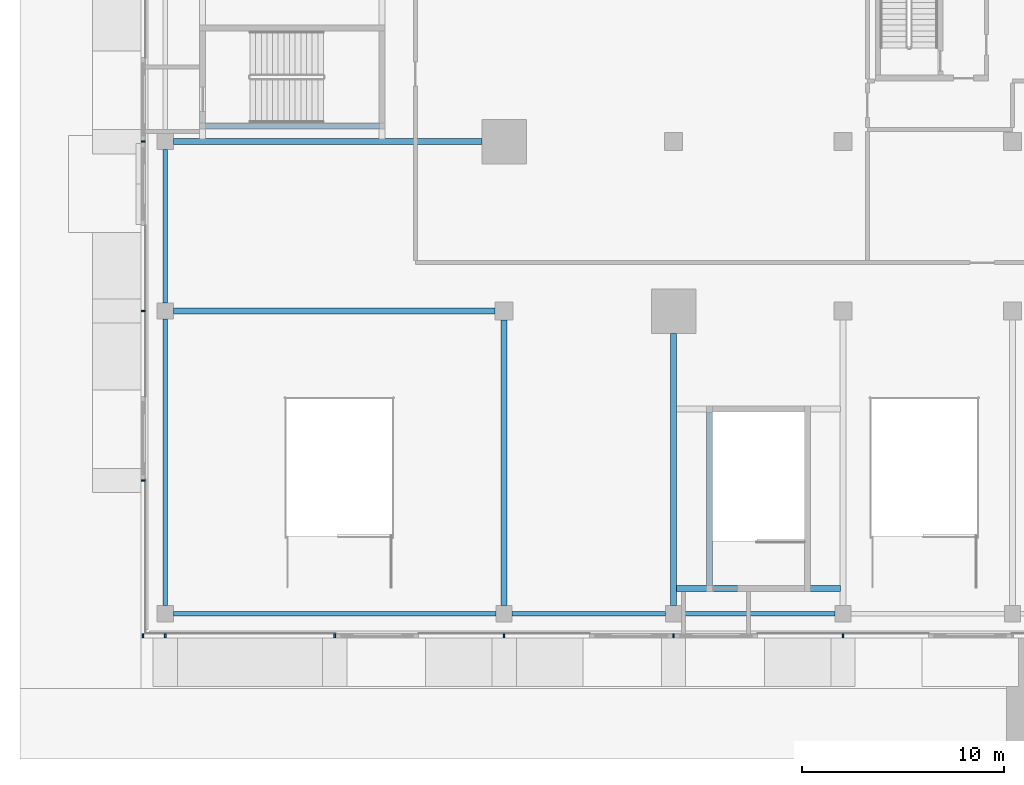
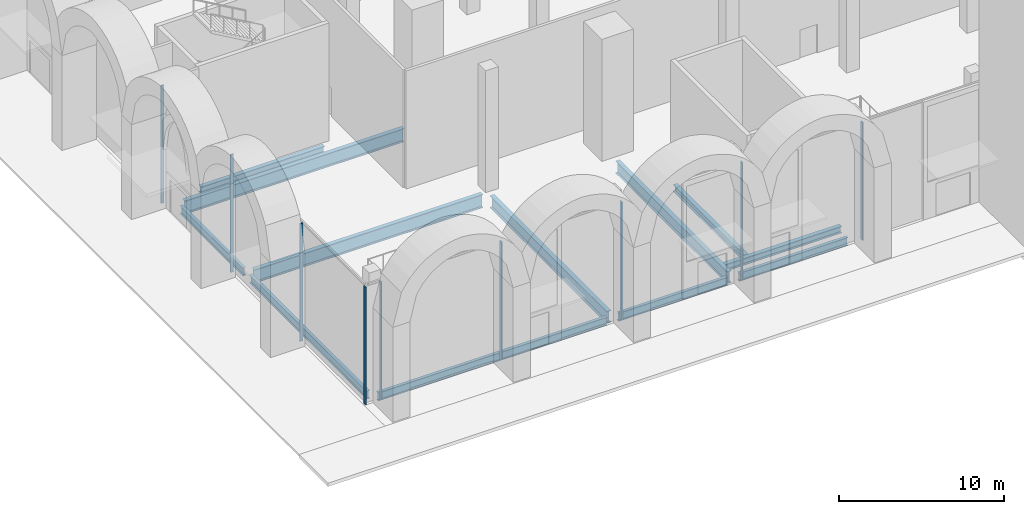
# One storey, part 2 of 43: 12 beams, 9 members, 2 elements without a shape of their own.
"""IFC4 building model written with IfcOpenShell, lengths in metres."""

import ifcopenshell
import ifcopenshell.guid

model = None  # the IFC model being written
_history = None  # IfcOwnerHistory: only IFC2X3 demands one
_inside = {}  # id of a spatial element -> (the spatial element, [elements in it])
_under = {}  # id of a project, library or spatial element -> (it, [spatial elements below it])
_declared = {}  # id of a project -> (the project, [libraries it declares])
_typed = {}  # id of a type object -> (the type object, [elements of that type])
_made_of = {}  # id of a material, layer set ... -> (it, [elements and type objects made of it])


def new_model(schema):
    """Start an empty IFC model of exactly this schema.

    Asked for "IFC4X3", IfcOpenShell would pick the latest addendum, in which some entities
    have other attributes; the version numbers below select the first issue.
    IFC2X3 requires an IfcOwnerHistory on every rooted entity: one is made here for all.
    """
    global model, _history
    if schema == "IFC4X3":
        model = ifcopenshell.file(schema_version=(4, 3, 0, 0))
    else:
        model = ifcopenshell.file(schema=schema)
    _inside.clear()
    _under.clear()
    _declared.clear()
    _typed.clear()
    _made_of.clear()
    _history = None
    if model.schema == "IFC2X3":
        org = make("IfcOrganization", Name="unknown")
        user = make(
            "IfcPersonAndOrganization",
            ThePerson=make("IfcPerson", FamilyName="unknown"),
            TheOrganization=org,
        )
        app = make(
            "IfcApplication",
            ApplicationDeveloper=org,
            Version="unknown",
            ApplicationFullName="unknown",
            ApplicationIdentifier="unknown",
        )
        _history = make(
            "IfcOwnerHistory",
            OwningUser=user,
            OwningApplication=app,
            ChangeAction="ADDED",
            CreationDate=0,
        )
    return model


def make(cls, **values):
    """One entity of the class cls with the attributes given. An attribute that is None is left unset."""
    return model.create_entity(
        cls, **{name: value for name, value in values.items() if value is not None}
    )


def rooted(cls, **values):
    """An entity with a GlobalId (a new one), such as an element, a storey or a relation."""
    return make(cls, GlobalId=ifcopenshell.guid.new(), OwnerHistory=_history, **values)


def si_unit(unit_type, name, prefix=None):
    """IfcSIUnit, for example si_unit("LENGTHUNIT", "METRE", prefix="MILLI")."""
    return make("IfcSIUnit", UnitType=unit_type, Prefix=prefix, Name=name)


def assignment(units):
    """IfcUnitAssignment: the units of a project."""
    return None if units is None else make("IfcUnitAssignment", Units=units)


def point(xyz):
    """IfcCartesianPoint."""
    return None if xyz is None else make("IfcCartesianPoint", Coordinates=xyz)


def direction(xyz):
    """IfcDirection."""
    return None if xyz is None else make("IfcDirection", DirectionRatios=xyz)


def frame(location, z_axis=None, x_axis=None):
    """IfcAxis2Placement3D, a coordinate frame: its origin and axes. An axis left out is left unset."""
    return make(
        "IfcAxis2Placement3D",
        Location=point(location),
        Axis=direction(z_axis),
        RefDirection=direction(x_axis),
    )


def frame_2d(location, x_axis=None):
    """IfcAxis2Placement2D, a coordinate frame in the plane: its origin and x axis."""
    return make(
        "IfcAxis2Placement2D", Location=point(location), RefDirection=direction(x_axis)
    )


def origin():
    """The frame at (0, 0, 0) with its axes left unset."""
    return frame((0.0, 0.0, 0.0))


def origin_2d():
    """The frame at (0, 0) in the plane with its x axis left unset."""
    return frame_2d((0.0, 0.0))


def place(relative_to, where):
    """IfcLocalPlacement: puts the frame where relative to a parent placement (None: the world)."""
    return make(
        "IfcLocalPlacement", PlacementRelTo=relative_to, RelativePlacement=where
    )


def context(
    kind, dimensions, precision=None, world=None, true_north=None, identifier=None
):
    """IfcGeometricRepresentationContext, for example the 3D "Model" context."""
    return make(
        "IfcGeometricRepresentationContext",
        ContextIdentifier=identifier,
        ContextType=kind,
        CoordinateSpaceDimension=dimensions,
        Precision=precision,
        WorldCoordinateSystem=world,
        TrueNorth=true_north,
    )


def subcontext(parent, identifier, kind, view, scale=None):
    """IfcGeometricRepresentationSubContext, for example "Body" below "Model"."""
    return make(
        "IfcGeometricRepresentationSubContext",
        ContextIdentifier=identifier,
        ContextType=kind,
        ParentContext=parent,
        TargetScale=scale,
        TargetView=view,
    )


def project(units=None, contexts=None):
    """IfcProject with its units and contexts."""
    return rooted(
        "IfcProject",
        Name="project",
        RepresentationContexts=contexts,
        UnitsInContext=assignment(units),
    )


def spatial(cls, under=None, at=None, **own):
    """A site, building, storey or space (cls), placed at a placement, below another one or the project."""
    s = rooted(cls, ObjectPlacement=at, **own)
    if under is not None:
        _under.setdefault(under.id(), (under, []))[1].append(s)
    return s


def profile(cls, at=None, kind="AREA", **sizes):
    """A parametric profile (cls). Its sizes go by their IFC names, for example OverallWidth=200.0."""
    return make(cls, ProfileType=kind, Position=at, **sizes)


def rectangle(**sizes):
    """IfcRectangleProfileDef."""
    return profile("IfcRectangleProfileDef", **sizes)


def i_section(**sizes):
    """IfcIShapeProfileDef."""
    return profile("IfcIShapeProfileDef", **sizes)


def extrude(swept, where, along, depth):
    """IfcExtrudedAreaSolid: the profile swept, set in the frame where, extruded along a direction by depth."""
    return make(
        "IfcExtrudedAreaSolid",
        SweptArea=swept,
        Position=where,
        ExtrudedDirection=direction(along),
        Depth=depth,
    )


def shape(context_of_items, identifier, shape_type, items):
    """IfcShapeRepresentation: the items that make up one representation, for example the "Body"."""
    return make(
        "IfcShapeRepresentation",
        ContextOfItems=context_of_items,
        RepresentationIdentifier=identifier,
        RepresentationType=shape_type,
        Items=items,
    )


def material(Name=None, Category=None):
    """IfcMaterial."""
    return make("IfcMaterial", Name=Name, Category=Category)


def material_profile(
    of_material, cross_section, Name=None, Category=None, Priority=None
):
    """IfcMaterialProfile: a cross section and its material."""
    return make(
        "IfcMaterialProfile",
        Name=Name,
        Material=of_material,
        Profile=cross_section,
        Priority=Priority,
        Category=Category,
    )


def profile_set(profiles, Name=None, composite=None):
    """IfcMaterialProfileSet."""
    return make(
        "IfcMaterialProfileSet",
        Name=Name,
        MaterialProfiles=profiles,
        CompositeProfile=composite,
    )


def made_of(thing, what):
    """Note that an element or type object is made of a material, layer set ...; save() writes the relation."""
    if what is not None:
        _made_of.setdefault(what.id(), (what, []))[1].append(thing)
    return thing


def type_object(cls, material=None, **own):
    """A type object (cls), such as IfcWallType, which elements share."""
    return made_of(rooted(cls, **own), material)


def element(
    cls,
    number,
    at=None,
    inside=None,
    cuts=None,
    type_object=None,
    material=None,
    context=None,
    identifier="Body",
    shape_type=None,
    held_by="IfcProductDefinitionShape",
    body=None,
    shapes=None,
    **own,
):
    """One element of the class cls, such as IfcWall. Its Tag is "e" and its number.

    at: its placement. inside: the storey or other place that contains it. cuts: it is an
    opening in that element (IfcRelVoidsElement). A single representation is given by context,
    identifier, shape_type and body (its items); several are given by shapes. held_by: the class
    of the entity that holds the representations. save() writes the other relations.
    """
    e = rooted(cls, Tag="e%d" % number, ObjectPlacement=at, **own)
    if body is not None:
        shapes = [shape(context, identifier, shape_type, body)]
    if shapes is not None:
        e.Representation = make(held_by, Representations=shapes)
    if inside is not None:
        _inside.setdefault(inside.id(), (inside, []))[1].append(e)
    if cuts is not None:
        rooted(
            "IfcRelVoidsElement", RelatingBuildingElement=cuts, RelatedOpeningElement=e
        )
    if type_object is not None:
        _typed.setdefault(type_object.id(), (type_object, []))[1].append(e)
    return made_of(e, material)


def aggregate(whole, parts):
    """IfcRelAggregates: a whole, such as a stair, and the parts it consists of."""
    return rooted("IfcRelAggregates", RelatingObject=whole, RelatedObjects=parts)


def save(model, path):
    """Write the relations noted so far, then the file.

    IfcRelAggregates (storeys below a building ...), IfcRelContainedInSpatialStructure (elements
    in a storey), IfcRelDefinesByType, IfcRelAssociatesMaterial and IfcRelDeclares: one each for
    every whole, place, type object, material and project.
    """
    for whole, parts in _under.values():
        aggregate(whole, parts)
    for where, things in _inside.values():
        rooted(
            "IfcRelContainedInSpatialStructure",
            RelatedElements=things,
            RelatingStructure=where,
        )
    for kind, things in _typed.values():
        rooted("IfcRelDefinesByType", RelatedObjects=things, RelatingType=kind)
    for what, things in _made_of.values():
        rooted("IfcRelAssociatesMaterial", RelatedObjects=things, RelatingMaterial=what)
    for by, libraries in _declared.values():
        rooted("IfcRelDeclares", RelatingContext=by, RelatedDefinitions=libraries)
    model.write(path)


model = new_model("IFC4")

# Units and contexts
model_context = context("Model", 3, precision=1e-05, world=origin(), true_north=direction((0.0, 1.0)))
body_context = subcontext(model_context, "Body", "Model", "MODEL_VIEW")
ifc_project = project(units=[si_unit("LENGTHUNIT", "METRE"), si_unit("AREAUNIT", "SQUARE_METRE"), si_unit("VOLUMEUNIT", "CUBIC_METRE"), si_unit("PLANEANGLEUNIT", "RADIAN"), si_unit("MASSUNIT", "GRAM", prefix="KILO")], contexts=[model_context])

# Site, building, storey
site_placement = place(None, origin())
site = spatial("IfcSite", under=ifc_project, at=site_placement, CompositionType="ELEMENT")
building_placement = place(site_placement, origin())
building = spatial("IfcBuilding", under=site, at=building_placement, Name="Saffron Gate Tower", CompositionType="ELEMENT")
storey_placement = place(building_placement, origin())
storey = spatial("IfcBuildingStorey", under=building, at=storey_placement, Name="L00", CompositionType="ELEMENT", Elevation=0.0)

# Beams
ifc_material_1 = material(Name="Structural steel S355", Category="steel")
ifc_material_profile_1 = material_profile(ifc_material_1, i_section(OverallWidth=0.219970703125, OverallDepth=0.60009765625, WebThickness=0.011962890625, FlangeThickness=0.01904296875, FilletRadius=0.02392578125, at=origin_2d()))
ifc_profile_set_1 = profile_set([ifc_material_profile_1], Name="Structural steel S355")
beam_type_1 = type_object("IfcBeamType", Name="B15 IPE 600", PredefinedType="BEAM", material=ifc_profile_set_1)
beam_1_placement = place(storey_placement, frame((33.39990234375, 16.800048828125, -0.60009765625), z_axis=(1.0, 0.0, 0.0), x_axis=(0.0, 1.0, 0.0)))
element("IfcBeam", 1, at=beam_1_placement, inside=storey, type_object=beam_type_1, Name="B15 PODIUM EDGE BEAM", PredefinedType="BEAM", context=body_context, shape_type="SweptSolid", body=[
    extrude(i_section(OverallWidth=0.219970703125, OverallDepth=0.60009765625, WebThickness=0.011962890625, FlangeThickness=0.01904296875, FilletRadius=0.02392578125, at=origin_2d()), origin(), (0.0, 0.0, 1.0), 16.0),
])
beam_2_placement = place(storey_placement, frame((50.199951171875, 16.800048828125, -0.60009765625), z_axis=(1.0, 0.0, 0.0), x_axis=(0.0, 1.0, 0.0)))
element("IfcBeam", 2, at=beam_2_placement, inside=storey, type_object=beam_type_1, Name="B15 PODIUM EDGE BEAM", PredefinedType="BEAM", context=body_context, shape_type="SweptSolid", body=[
    extrude(i_section(OverallWidth=0.219970703125, OverallDepth=0.60009765625, WebThickness=0.011962890625, FlangeThickness=0.01904296875, FilletRadius=0.02392578125, at=origin_2d()), origin(), (0.0, 0.0, 1.0), 7.60009765625),
])
beam_3_placement = place(storey_placement, frame((58.60009765625, 16.800048828125, -0.60009765625), z_axis=(1.0, 0.0, 0.0), x_axis=(0.0, 1.0, 0.0)))
element("IfcBeam", 3, at=beam_3_placement, inside=storey, type_object=beam_type_1, Name="B15 PODIUM EDGE BEAM", PredefinedType="BEAM", context=body_context, shape_type="SweptSolid", body=[
    extrude(i_section(OverallWidth=0.219970703125, OverallDepth=0.60009765625, WebThickness=0.011962890625, FlangeThickness=0.01904296875, FilletRadius=0.02392578125, at=origin_2d()), origin(), (0.0, 0.0, 1.0), 7.599853515625),
])
beam_4_placement = place(storey_placement, frame((33.0, 17.199951171875, -0.60009765625), z_axis=(0.0, 1.0, 0.0), x_axis=(-1.0, 0.0, 0.0)))
element("IfcBeam", 4, at=beam_4_placement, inside=storey, type_object=beam_type_1, Name="B15 PODIUM EDGE BEAM", PredefinedType="BEAM", context=body_context, shape_type="SweptSolid", body=[
    extrude(i_section(OverallWidth=0.219970703125, OverallDepth=0.60009765625, WebThickness=0.011962890625, FlangeThickness=0.01904296875, FilletRadius=0.02392578125, at=origin_2d()), origin(), (0.0, 0.0, 1.0), 14.199951171875),
])
beam_5_placement = place(storey_placement, frame((33.0, 32.199951171875, -0.60009765625), z_axis=(0.0, 1.0, 0.0), x_axis=(-1.0, 0.0, 0.0)))
element("IfcBeam", 5, at=beam_5_placement, inside=storey, type_object=beam_type_1, Name="B15 PODIUM EDGE BEAM", PredefinedType="BEAM", context=body_context, shape_type="SweptSolid", body=[
    extrude(i_section(OverallWidth=0.219970703125, OverallDepth=0.60009765625, WebThickness=0.011962890625, FlangeThickness=0.01904296875, FilletRadius=0.02392578125, at=origin_2d()), origin(), (0.0, 0.0, 1.0), 7.60009765625),
])
ifc_material_profile_2 = material_profile(ifc_material_1, i_section(OverallWidth=0.300048828125, OverallDepth=0.889892578125, WebThickness=0.01611328125, FlangeThickness=0.030029296875, FilletRadius=0.030029296875, at=origin_2d()))
ifc_profile_set_2 = profile_set([ifc_material_profile_2], Name="Structural steel S355")
beam_type_2 = type_object("IfcBeamType", Name="B19 HEA 900", PredefinedType="BEAM", material=ifc_profile_set_2)
beam_6_placement = place(storey_placement, frame((49.800048828125, 17.199951171875, -0.7451171875), z_axis=(0.0, 1.0, 0.0), x_axis=(-1.0, 0.0, 0.0)))
element("IfcBeam", 6, at=beam_6_placement, inside=storey, type_object=beam_type_2, Name="B19 PODIUM RING GIRDER", PredefinedType="BEAM", context=body_context, shape_type="SweptSolid", body=[
    extrude(i_section(OverallWidth=0.300048828125, OverallDepth=0.889892578125, WebThickness=0.01611328125, FlangeThickness=0.030029296875, FilletRadius=0.030029296875, at=origin_2d()), origin(), (0.0, 0.0, 1.0), 14.150146484375),
])
beam_7_placement = place(storey_placement, frame((58.199951171875, 17.199951171875, -0.7451171875), z_axis=(0.0, 1.0, 0.0), x_axis=(-1.0, 0.0, 0.0)))
element("IfcBeam", 7, at=beam_7_placement, inside=storey, type_object=beam_type_2, Name="B19 PODIUM RING GIRDER", PredefinedType="BEAM", context=body_context, shape_type="SweptSolid", body=[
    extrude(i_section(OverallWidth=0.300048828125, OverallDepth=0.889892578125, WebThickness=0.01611328125, FlangeThickness=0.030029296875, FilletRadius=0.030029296875, at=origin_2d()), origin(), (0.0, 0.0, 1.0), 13.5),
])
ifc_material_profile_3 = material_profile(ifc_material_1, i_section(OverallWidth=0.300048828125, OverallDepth=0.989990234375, WebThickness=0.0166015625, FlangeThickness=0.031005859375, FilletRadius=0.030029296875, at=origin_2d()))
ifc_profile_set_3 = profile_set([ifc_material_profile_3], Name="Structural steel S355")
beam_type_3 = type_object("IfcBeamType", Name="B21 HEA 1000", PredefinedType="BEAM", material=ifc_profile_set_3)
beam_8_placement = place(storey_placement, frame((33.39990234375, 31.800048828125, -0.794921875), z_axis=(1.0, 0.0, 0.0), x_axis=(0.0, 1.0, 0.0)))
element("IfcBeam", 8, at=beam_8_placement, inside=storey, type_object=beam_type_3, Name="B21 PODIUM RING GIRDER", PredefinedType="BEAM", context=body_context, shape_type="SweptSolid", body=[
    extrude(i_section(OverallWidth=0.300048828125, OverallDepth=0.989990234375, WebThickness=0.0166015625, FlangeThickness=0.031005859375, FilletRadius=0.030029296875, at=origin_2d()), origin(), (0.0, 0.0, 1.0), 15.9501953125),
])
beam_9_placement = place(storey_placement, frame((33.39990234375, 40.199951171875, -0.794921875), z_axis=(1.0, 0.0, 0.0), x_axis=(0.0, 1.0, 0.0)))
element("IfcBeam", 9, at=beam_9_placement, inside=storey, type_object=beam_type_3, Name="B21 PODIUM RING GIRDER", PredefinedType="BEAM", context=body_context, shape_type="SweptSolid", body=[
    extrude(i_section(OverallWidth=0.300048828125, OverallDepth=0.989990234375, WebThickness=0.0166015625, FlangeThickness=0.031005859375, FilletRadius=0.030029296875, at=origin_2d()), origin(), (0.0, 0.0, 1.0), 15.300048828125),
])
ifc_material_profile_4 = material_profile(ifc_material_1, i_section(OverallWidth=0.300048828125, OverallDepth=0.5, WebThickness=0.014404296875, FlangeThickness=0.028076171875, FilletRadius=0.027099609375, at=origin_2d()))
ifc_profile_set_4 = profile_set([ifc_material_profile_4], Name="Structural steel S355")
beam_type_4 = type_object("IfcBeamType", Name="B9 HEB 500", PredefinedType="BEAM", material=ifc_profile_set_4)
beam_10_placement = place(storey_placement, frame((34.989990234375, 40.97509765625, -0.550048828125), z_axis=(1.0, 0.0, 0.0), x_axis=(0.0, 1.0, 0.0)))
element("IfcBeam", 10, at=beam_10_placement, inside=storey, type_object=beam_type_4, Name="B9 STAIR ENCLOSURE TRIMMER BEAM", PredefinedType="BEAM", context=body_context, shape_type="SweptSolid", body=[
    extrude(i_section(OverallWidth=0.300048828125, OverallDepth=0.5, WebThickness=0.014404296875, FlangeThickness=0.028076171875, FilletRadius=0.027099609375, at=origin_2d()), origin(), (0.0, 0.0, 1.0), 8.6201171875),
])
beam_11_placement = place(storey_placement, frame((58.340087890625, 18.050048828125, -0.550048828125), z_axis=(1.0, 0.0, 0.0), x_axis=(0.0, 1.0, 0.0)))
element("IfcBeam", 11, at=beam_11_placement, inside=storey, type_object=beam_type_4, Name="B9 STAIR ENCLOSURE HEADER BEAM", PredefinedType="BEAM", context=body_context, shape_type="SweptSolid", body=[
    extrude(i_section(OverallWidth=0.300048828125, OverallDepth=0.5, WebThickness=0.014404296875, FlangeThickness=0.028076171875, FilletRadius=0.027099609375, at=origin_2d()), origin(), (0.0, 0.0, 1.0), 8.119873046875),
])
beam_12_placement = place(storey_placement, frame((59.97509765625, 18.18994140625, -0.550048828125), z_axis=(0.0, 1.0, 0.0), x_axis=(-1.0, 0.0, 0.0)))
element("IfcBeam", 12, at=beam_12_placement, inside=storey, type_object=beam_type_4, Name="B9 STAIR ENCLOSURE TRIMMER BEAM", PredefinedType="BEAM", context=body_context, shape_type="SweptSolid", body=[
    extrude(i_section(OverallWidth=0.300048828125, OverallDepth=0.5, WebThickness=0.014404296875, FlangeThickness=0.028076171875, FilletRadius=0.027099609375, at=origin_2d()), origin(), (0.0, 0.0, 1.0), 8.6201171875),
])

# Curtain wall, members
ifc_material_2 = material(Name="Aluminium, bronze anodised", Category="aluminium")
curtain_wall_type = type_object("IfcCurtainWallType", Name="CWS5 curtain wall podium ring base", PredefinedType="NOTDEFINED", material=ifc_material_2)
curtain_wall_1_placement = place(storey_placement, origin())
curtain_wall_1 = element("IfcCurtainWall", 13, at=curtain_wall_1_placement, inside=storey, type_object=curtain_wall_type, Name="CWS5 run 1", PredefinedType="NOTDEFINED")
ifc_material_profile_5 = material_profile(ifc_material_2, rectangle(XDim=0.199951171875, YDim=0.080078125, at=origin_2d()))
ifc_profile_set_5 = profile_set([ifc_material_profile_5], Name="Aluminium, bronze anodised")
member_type = type_object("IfcMemberType", Name="CWS5 mullion 80x200", PredefinedType="MULLION", material=ifc_profile_set_5)
member_1_placement = place(storey_placement, frame((31.89990234375, 15.699951171875, 0.0), z_axis=(0.0, 0.0, 1.0), x_axis=(0.0, 1.0, 0.0)))
member_1 = element("IfcMember", 14, at=member_1_placement, type_object=member_type, Name="CWS5 mullion 1", PredefinedType="MULLION", context=body_context, shape_type="SweptSolid", body=[
    extrude(rectangle(XDim=0.199951171875, YDim=0.080078125, at=origin_2d()), origin(), (0.0, 0.0, 1.0), 8.699951171875),
])
member_2_placement = place(storey_placement, frame((33.0, 15.699951171875, 0.0), z_axis=(0.0, 0.0, 1.0), x_axis=(0.0, 1.0, 0.0)))
member_2 = element("IfcMember", 15, at=member_2_placement, type_object=member_type, Name="CWS5 mullion 2", PredefinedType="MULLION", context=body_context, shape_type="SweptSolid", body=[
    extrude(rectangle(XDim=0.199951171875, YDim=0.080078125, at=origin_2d()), origin(), (0.0, 0.0, 1.0), 8.699951171875),
])
member_3_placement = place(storey_placement, frame((41.39990234375, 15.699951171875, 0.0), z_axis=(0.0, 0.0, 1.0), x_axis=(0.0, 1.0, 0.0)))
member_3 = element("IfcMember", 16, at=member_3_placement, type_object=member_type, Name="CWS5 mullion 3", PredefinedType="MULLION", context=body_context, shape_type="SweptSolid", body=[
    extrude(rectangle(XDim=0.199951171875, YDim=0.080078125, at=origin_2d()), origin(), (0.0, 0.0, 1.0), 8.699951171875),
])
member_4_placement = place(storey_placement, frame((49.800048828125, 15.699951171875, 0.0), z_axis=(0.0, 0.0, 1.0), x_axis=(0.0, 1.0, 0.0)))
member_4 = element("IfcMember", 17, at=member_4_placement, type_object=member_type, Name="CWS5 mullion 4", PredefinedType="MULLION", context=body_context, shape_type="SweptSolid", body=[
    extrude(rectangle(XDim=0.199951171875, YDim=0.080078125, at=origin_2d()), origin(), (0.0, 0.0, 1.0), 8.699951171875),
])
member_5_placement = place(storey_placement, frame((58.199951171875, 15.699951171875, 0.0), z_axis=(0.0, 0.0, 1.0), x_axis=(0.0, 1.0, 0.0)))
member_5 = element("IfcMember", 18, at=member_5_placement, type_object=member_type, Name="CWS5 mullion 5", PredefinedType="MULLION", context=body_context, shape_type="SweptSolid", body=[
    extrude(rectangle(XDim=0.199951171875, YDim=0.080078125, at=origin_2d()), origin(), (0.0, 0.0, 1.0), 8.699951171875),
])
member_6_placement = place(storey_placement, frame((66.60009765625, 15.699951171875, 0.0), z_axis=(0.0, 0.0, 1.0), x_axis=(0.0, 1.0, 0.0)))
member_6 = element("IfcMember", 19, at=member_6_placement, type_object=member_type, Name="CWS5 mullion 6", PredefinedType="MULLION", context=body_context, shape_type="SweptSolid", body=[
    extrude(rectangle(XDim=0.199951171875, YDim=0.080078125, at=origin_2d()), origin(), (0.0, 0.0, 1.0), 8.699951171875),
])
aggregate(curtain_wall_1, [member_1, member_2, member_3, member_4, member_5, member_6])

curtain_wall_2_placement = place(storey_placement, origin())
curtain_wall_2 = element("IfcCurtainWall", 20, at=curtain_wall_2_placement, inside=storey, type_object=curtain_wall_type, Name="CWS5 run 4", PredefinedType="NOTDEFINED")
member_7_placement = place(storey_placement, frame((31.89990234375, 40.199951171875, 0.0), z_axis=(0.0, 0.0, 1.0), x_axis=(1.0, 0.0, 0.0)))
member_7 = element("IfcMember", 21, at=member_7_placement, type_object=member_type, Name="CWS5 mullion 7", PredefinedType="MULLION", context=body_context, shape_type="SweptSolid", body=[
    extrude(rectangle(XDim=0.199951171875, YDim=0.080078125, at=origin_2d()), origin(), (0.0, 0.0, 1.0), 8.699951171875),
])
member_8_placement = place(storey_placement, frame((31.89990234375, 31.800048828125, 0.0), z_axis=(0.0, 0.0, 1.0), x_axis=(1.0, 0.0, 0.0)))
member_8 = element("IfcMember", 22, at=member_8_placement, type_object=member_type, Name="CWS5 mullion 8", PredefinedType="MULLION", context=body_context, shape_type="SweptSolid", body=[
    extrude(rectangle(XDim=0.199951171875, YDim=0.080078125, at=origin_2d()), origin(), (0.0, 0.0, 1.0), 8.699951171875),
])
member_9_placement = place(storey_placement, frame((31.89990234375, 23.39990234375, 0.0), z_axis=(0.0, 0.0, 1.0), x_axis=(1.0, 0.0, 0.0)))
member_9 = element("IfcMember", 23, at=member_9_placement, type_object=member_type, Name="CWS5 mullion 9", PredefinedType="MULLION", context=body_context, shape_type="SweptSolid", body=[
    extrude(rectangle(XDim=0.199951171875, YDim=0.080078125, at=origin_2d()), origin(), (0.0, 0.0, 1.0), 8.699951171875),
])
aggregate(curtain_wall_2, [member_7, member_8, member_9])

save(model, "model.ifc")
